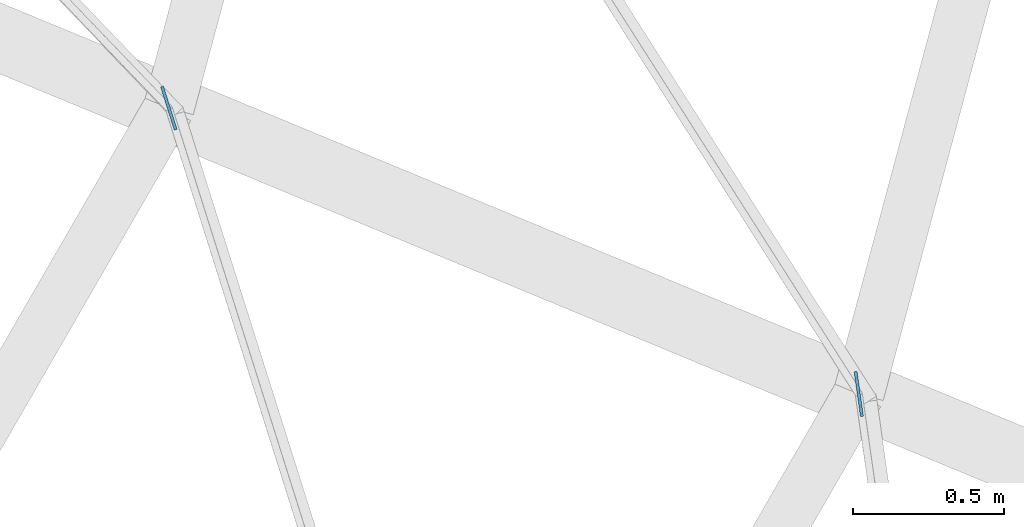
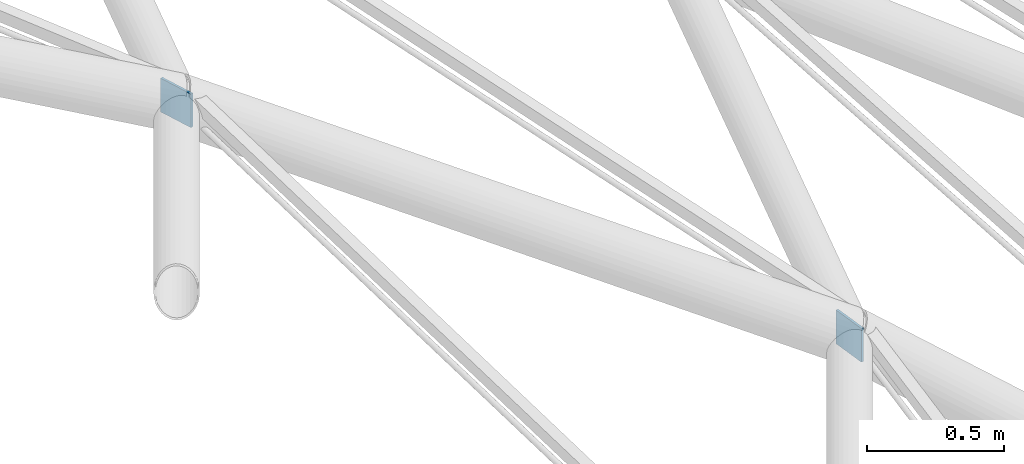
# One storey, part 20 of 33: 2 discrete accessories.
"""IFC4 building model written with IfcOpenShell, lengths in metres."""

from ifc_helpers import new_model, si_unit, direction, frame, origin, origin_2d, place, context, subcontext, project, spatial, rectangle, extrude, material, type_object, element, save


model = new_model("IFC4")

# Units and contexts
model_context = context("Model", 3, precision=1e-05, world=origin(), true_north=direction((0.0, 1.0)))
body_context = subcontext(model_context, "Body", "Model", "MODEL_VIEW")
ifc_project = project(units=[si_unit("LENGTHUNIT", "METRE"), si_unit("AREAUNIT", "SQUARE_METRE"), si_unit("VOLUMEUNIT", "CUBIC_METRE"), si_unit("PLANEANGLEUNIT", "RADIAN"), si_unit("MASSUNIT", "GRAM", prefix="KILO")], contexts=[model_context])

# Site, building, storey
site_placement = place(None, origin())
site = spatial("IfcSite", under=ifc_project, at=site_placement, CompositionType="ELEMENT")
building_placement = place(site_placement, origin())
building = spatial("IfcBuilding", under=site, at=building_placement, Name="Hortulan Conservatory and Botanical Research Centre", CompositionType="ELEMENT")
storey_placement = place(building_placement, frame((0.0, 0.0, 19.199951171875)))
storey = spatial("IfcBuildingStorey", under=building, at=storey_placement, Name="L04", CompositionType="ELEMENT", Elevation=19.199951171875)

# Discrete accessories
ifc_material = material(Name="Steel Grade 300 plate (AS/NZS 3678, 280 MPa minimum yield)", Category="steel")
discrete_accessory_type = type_object("IfcDiscreteAccessoryType", Name="End Plate 150x10", PredefinedType="BRACKET", material=ifc_material)
for number, where, z_axis, x_axis, name in (
    (1, (60.8037109375, 15.181884765625, 3.236083984375), (0.0, 0.0, 1.0), (0.301088621787, -0.953596162865, 0.0), "Dome rod end plate"),
    (2, (63.0888671875, 14.235107421875, 1.972900390625), (0.0, 0.0, 1.0), (0.140417398302, -0.990092396827, 0.0), "Dome rod end plate"),
):
    element("IfcDiscreteAccessory", number, at=place(storey_placement, frame(where, z_axis=z_axis, x_axis=x_axis)), inside=storey, type_object=discrete_accessory_type, Name=name, PredefinedType="BRACKET", context=body_context, shape_type="SweptSolid", body=[
        extrude(rectangle(XDim=0.14990234375, YDim=0.010009765625, at=origin_2d()), origin(), (0.0, 0.0, 1.0), 0.14990234375),
    ])

save(model, "model.ifc")
